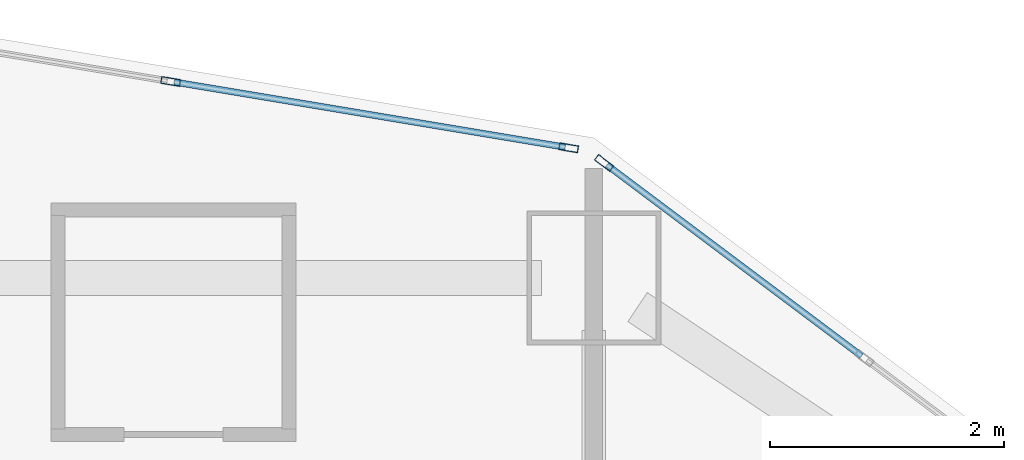
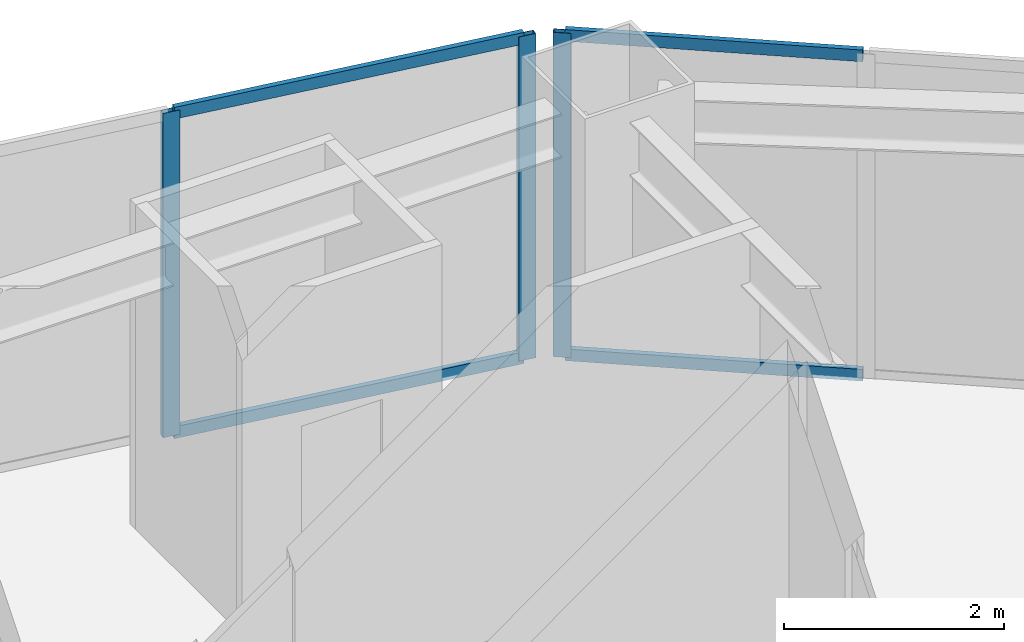
# One storey, part 4 of 15: 7 members, 2 elements without a shape of their own.
"""IFC4 building model written with IfcOpenShell, lengths in metres."""

from ifc_helpers import new_model, si_unit, direction, frame, origin, origin_2d, place, context, subcontext, project, spatial, hollow_rectangle, extrude, material, layer, layer_set, material_profile, profile_set, type_object, element, aggregate, save


model = new_model("IFC4")

# Units and contexts
model_context = context("Model", 3, precision=1e-05, world=origin(), true_north=direction((0.0, 1.0)))
body_context = subcontext(model_context, "Body", "Model", "MODEL_VIEW")
ifc_project = project(units=[si_unit("LENGTHUNIT", "METRE"), si_unit("AREAUNIT", "SQUARE_METRE"), si_unit("VOLUMEUNIT", "CUBIC_METRE"), si_unit("PLANEANGLEUNIT", "RADIAN"), si_unit("MASSUNIT", "GRAM", prefix="KILO")], contexts=[model_context])

# Site, building, storey
site_placement = place(None, origin())
site = spatial("IfcSite", under=ifc_project, at=site_placement, CompositionType="ELEMENT")
building_placement = place(site_placement, origin())
building = spatial("IfcBuilding", under=site, at=building_placement, Name="Haolan Belvedere Tower", CompositionType="ELEMENT")
storey_placement = place(building_placement, frame((0.0, 0.0, 66.60009765625)))
storey = spatial("IfcBuildingStorey", under=building, at=storey_placement, Name="L16", CompositionType="ELEMENT", Elevation=66.60009765625)

# Curtain wall, member
ifc_material_1 = material(Name="Anodised champagne-silver aluminium 6063-T6 and Low-E glass", Category="aluminium")
ifc_layer = layer(ifc_material_1, 0.1650390625, Name="Anodised champagne-silver aluminium 6063-T6 and Low-E glass")
ifc_layer_set = layer_set([ifc_layer], Name="Anodised champagne-silver aluminium 6063-T6 and Low-E glass")
curtain_wall_type = type_object("IfcCurtainWallType", Name="CW-SYS-02", PredefinedType="NOTDEFINED", material=ifc_layer_set)
curtain_wall_1_placement = place(storey_placement, origin())
curtain_wall_1 = element("IfcCurtainWall", 1, at=curtain_wall_1_placement, inside=storey, type_object=curtain_wall_type, Name="L16 CW-SYS-02 ribbon curtain wall 41.1", PredefinedType="NOTDEFINED")
ifc_material_2 = material(Name="Anodised aluminium 6063-T6", Category="aluminium")
ifc_material_profile_1 = material_profile(ifc_material_2, hollow_rectangle(XDim=0.06005859375, YDim=0.1650390625, WallThickness=0.00390625, at=origin_2d()), Name="Anodised aluminium 6063-T6")
ifc_profile_set_1 = profile_set([ifc_material_profile_1], Name="Anodised aluminium 6063-T6")
member_type_1 = type_object("IfcMemberType", Name="CW-SYS-02-MUL", PredefinedType="MULLION", material=ifc_profile_set_1)
member_1_placement = place(storey_placement, frame((45.6875, 51.384521484375, 0.0), z_axis=(0.0, 0.0, 1.0), x_axis=(-0.599994316874, -0.800004262313, 0.0)))
member_1 = element("IfcMember", 2, at=member_1_placement, type_object=member_type_1, Name="CW-02 mullion 3", PredefinedType="MULLION", context=body_context, shape_type="SweptSolid", body=[
    extrude(hollow_rectangle(XDim=0.06005859375, YDim=0.1650390625, WallThickness=0.00390625, at=origin_2d()), origin(), (0.0, 0.0, 1.0), 3.599853515625),
])

# Curtain wall, members
curtain_wall_2_placement = place(storey_placement, origin())
curtain_wall_2 = element("IfcCurtainWall", 3, at=curtain_wall_2_placement, inside=storey, type_object=curtain_wall_type, Name="L16 CW-SYS-02 ribbon curtain wall 42.1", PredefinedType="NOTDEFINED")
member_2_placement = place(storey_placement, frame((45.3837890625, 51.514404296875, 0.0), z_axis=(0.0, 0.0, 1.0), x_axis=(-0.16440364043, -0.9863931483, 0.0)))
member_2 = element("IfcMember", 4, at=member_2_placement, type_object=member_type_1, Name="CW-02 mullion 1", PredefinedType="MULLION", context=body_context, shape_type="SweptSolid", body=[
    extrude(hollow_rectangle(XDim=0.06005859375, YDim=0.1650390625, WallThickness=0.00390625, at=origin_2d()), origin(), (0.0, 0.0, 1.0), 3.599853515625),
])
member_3_placement = place(storey_placement, frame((41.9755859375, 52.082275390625, 0.0), z_axis=(0.0, 0.0, 1.0), x_axis=(-0.16440364043, -0.9863931483, 0.0)))
member_3 = element("IfcMember", 5, at=member_3_placement, type_object=member_type_1, Name="CW-02 mullion 2", PredefinedType="MULLION", context=body_context, shape_type="SweptSolid", body=[
    extrude(hollow_rectangle(XDim=0.06005859375, YDim=0.1650390625, WallThickness=0.00390625, at=origin_2d()), origin(), (0.0, 0.0, 1.0), 3.599853515625),
])

# Member
ifc_material_profile_2 = material_profile(ifc_material_2, hollow_rectangle(XDim=0.054931640625, YDim=0.1298828125, WallThickness=0.00390625, at=origin_2d()), Name="Anodised aluminium 6063-T6")
ifc_profile_set_2 = profile_set([ifc_material_profile_2], Name="Anodised aluminium 6063-T6")
member_type_2 = type_object("IfcMemberType", Name="CW-SYS-02-TRN", PredefinedType="USERDEFINED", material=ifc_profile_set_2)
member_4_placement = place(storey_placement, frame((47.8916015625, 49.731201171875, 0.02734375), z_axis=(-0.799978499504, 0.600028666258, 0.0), x_axis=(-0.600028666258, -0.799978499504, 0.0)))
member_4 = element("IfcMember", 6, at=member_4_placement, type_object=member_type_2, Name="CW-02 transom 2.1", ObjectType="TRANSOM", PredefinedType="USERDEFINED", context=body_context, shape_type="SweptSolid", body=[
    extrude(hollow_rectangle(XDim=0.054931640625, YDim=0.1298828125, WallThickness=0.00390625, at=origin_2d()), origin(), (0.0, 0.0, 1.0), 2.725341796875),
])

member_5_placement = place(storey_placement, frame((47.8916015625, 49.731201171875, 3.572509765625), z_axis=(-0.799978499504, 0.600028666258, 0.0), x_axis=(-0.600028666258, -0.799978499504, 0.0)))
member_5 = element("IfcMember", 7, at=member_5_placement, type_object=member_type_2, Name="CW-02 transom 2.2", ObjectType="TRANSOM", PredefinedType="USERDEFINED", context=body_context, shape_type="SweptSolid", body=[
    extrude(hollow_rectangle(XDim=0.054931640625, YDim=0.1298828125, WallThickness=0.00390625, at=origin_2d()), origin(), (0.0, 0.0, 1.0), 2.725341796875),
])

aggregate(curtain_wall_1, [member_1, member_4, member_5])

member_6_placement = place(storey_placement, frame((45.35400390625, 51.519287109375, 0.02734375), z_axis=(-0.986393923832, 0.164398987305, 0.0), x_axis=(-0.164398987305, -0.986393923832, 0.0)))
member_6 = element("IfcMember", 8, at=member_6_placement, type_object=member_type_2, Name="CW-02 transom 1.1", ObjectType="TRANSOM", PredefinedType="USERDEFINED", context=body_context, shape_type="SweptSolid", body=[
    extrude(hollow_rectangle(XDim=0.054931640625, YDim=0.1298828125, WallThickness=0.00390625, at=origin_2d()), origin(), (0.0, 0.0, 1.0), 3.394775390625),
])

member_7_placement = place(storey_placement, frame((45.35400390625, 51.519287109375, 3.572509765625), z_axis=(-0.986393923832, 0.164398987305, 0.0), x_axis=(-0.164398987305, -0.986393923832, 0.0)))
member_7 = element("IfcMember", 9, at=member_7_placement, type_object=member_type_2, Name="CW-02 transom 1.2", ObjectType="TRANSOM", PredefinedType="USERDEFINED", context=body_context, shape_type="SweptSolid", body=[
    extrude(hollow_rectangle(XDim=0.054931640625, YDim=0.1298828125, WallThickness=0.00390625, at=origin_2d()), origin(), (0.0, 0.0, 1.0), 3.394775390625),
])

aggregate(curtain_wall_2, [member_2, member_3, member_6, member_7])

save(model, "model.ifc")
